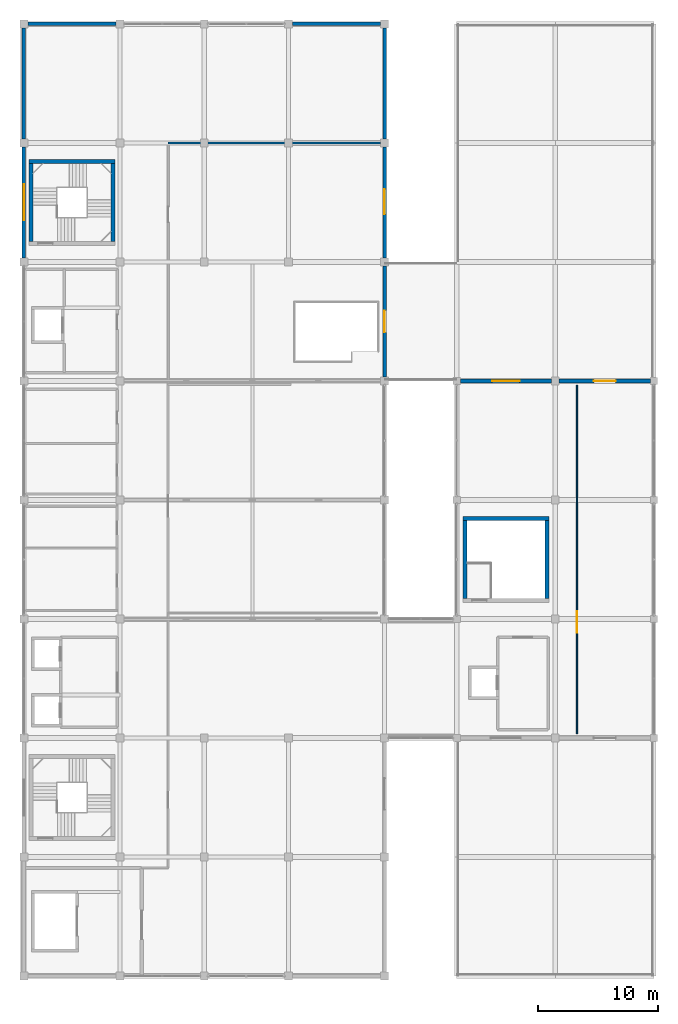
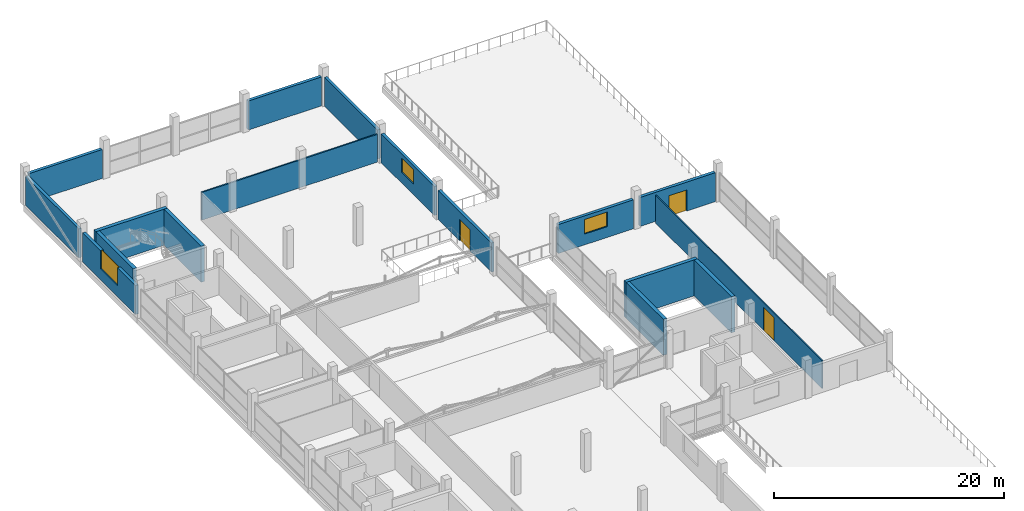
# One storey, part 47 of 53: 17 walls, 3 doors, 3 windows, 6 openings.
"""IFC4 building model written with IfcOpenShell, lengths in metres."""

from ifc_helpers import new_model, si_unit, direction, frame, frame_2d, origin, place, context, subcontext, project, spatial, rectangle, extrude, material, layer, layer_set, type_object, element, fill, save


model = new_model("IFC4")

# Units and contexts
model_context = context("Model", 3, precision=1e-05, world=origin(), true_north=direction((0.0, 1.0)))
body_context = subcontext(model_context, "Body", "Model", "MODEL_VIEW")
ifc_project = project(units=[si_unit("LENGTHUNIT", "METRE"), si_unit("AREAUNIT", "SQUARE_METRE"), si_unit("VOLUMEUNIT", "CUBIC_METRE"), si_unit("PLANEANGLEUNIT", "RADIAN"), si_unit("MASSUNIT", "GRAM", prefix="KILO")], contexts=[model_context])

# Site, building, storey
site_placement = place(None, origin())
site = spatial("IfcSite", under=ifc_project, at=site_placement, CompositionType="ELEMENT")
building_placement = place(site_placement, origin())
building = spatial("IfcBuilding", under=site, at=building_placement, Name="Sillaruma Civic Art Gallery", CompositionType="ELEMENT")
storey_placement = place(building_placement, frame((0.0, 0.0, 70.3798828125)))
storey = spatial("IfcBuildingStorey", under=building, at=storey_placement, Name="L14", CompositionType="ELEMENT", Elevation=70.3798828125)

# Walls
ifc_material_1 = material(Name="Concrete H40 (40 MPa)", Category="concrete")
ifc_layer_1 = layer(ifc_material_1, 0.35009765625, Name="Concrete H40 (40 MPa)")
ifc_layer_set_1 = layer_set([ifc_layer_1], Name="Concrete H40 (40 MPa)")
wall_type_1 = type_object("IfcWallType", Name="WAL-CORE-350", PredefinedType="SHEAR", material=ifc_layer_set_1)
wall_1_placement = place(storey_placement, frame((62.409912109375, 87.56494140625, 0.0), z_axis=(0.0, 0.0, 1.0), x_axis=(1.0, 0.0, 0.0)))
element("IfcWall", 1, at=wall_1_placement, inside=storey, type_object=wall_type_1, Name="Stair Core Shear Wall W-CORE-350 (ST-02:L14:N)", PredefinedType="SHEAR", context=body_context, shape_type="SweptSolid", body=[
    extrude(rectangle(XDim=7.18017578125, YDim=0.35009765625, at=frame_2d((3.590087890625, 0.0))), origin(), (0.0, 0.0, 1.0), 3.830078125),
])
for number, where, z_axis, x_axis, name in (
    (2, (62.5849609375, 80.909912109375, 0.0), (0.0, 0.0, 1.0), (0.0, 1.0, 0.0), "Stair Core Shear Wall W-CORE-350 (ST-02:L14:W)"),
    (3, (69.4150390625, 80.909912109375, 0.0), (0.0, 0.0, 1.0), (0.0, 1.0, 0.0), "Stair Core Shear Wall W-CORE-350 (ST-02:L14:E)"),
):
    element("IfcWall", number, at=place(storey_placement, frame(where, z_axis=z_axis, x_axis=x_axis)), inside=storey, type_object=wall_type_1, Name=name, PredefinedType="SHEAR", context=body_context, shape_type="SweptSolid", body=[
        extrude(rectangle(XDim=6.47998046875, YDim=0.35009765625, at=frame_2d((3.239990234375, 0.0))), origin(), (0.0, 0.0, 1.0), 3.830078125),
    ])
wall_2_placement = place(storey_placement, frame((98.510009765625, 57.864990234375, 0.0), z_axis=(0.0, 0.0, 1.0), x_axis=(1.0, 0.0, 0.0)))
element("IfcWall", 4, at=wall_2_placement, inside=storey, type_object=wall_type_1, Name="Stair Core Shear Wall W-CORE-350 (ST-04:L14:N)", PredefinedType="SHEAR", context=body_context, shape_type="SweptSolid", body=[
    extrude(rectangle(XDim=7.179931640625, YDim=0.35009765625, at=frame_2d((3.58984375, 0.0))), origin(), (0.0, 0.0, 1.0), 3.830078125),
])
for number, where, z_axis, x_axis, name in (
    (5, (98.68505859375, 51.2099609375, 0.0), (0.0, 0.0, 1.0), (0.0, 1.0, 0.0), "Stair Core Shear Wall W-CORE-350 (ST-04:L14:W)"),
    (6, (105.514892578125, 51.2099609375, 0.0), (0.0, 0.0, 1.0), (0.0, 1.0, 0.0), "Stair Core Shear Wall W-CORE-350 (ST-04:L14:E)"),
):
    element("IfcWall", number, at=place(storey_placement, frame(where, z_axis=z_axis, x_axis=x_axis)), inside=storey, type_object=wall_type_1, Name=name, PredefinedType="SHEAR", context=body_context, shape_type="SweptSolid", body=[
        extrude(rectangle(XDim=6.47998046875, YDim=0.35009765625, at=frame_2d((3.239990234375, 0.0))), origin(), (0.0, 0.0, 1.0), 3.830078125),
    ])

# Wall, opening, door
ifc_material_2 = material(Name="Concrete H35 (35 MPa)", Category="concrete")
ifc_layer_2 = layer(ifc_material_2, 0.159912109375, Name="Concrete backup", Category="concrete")
ifc_material_3 = material(Name="Mineral Wool Thermal Insulation", Category="insulation")
ifc_layer_3 = layer(ifc_material_3, 0.090087890625, Name="Thermal insulation", Category="insulation")
ifc_material_4 = material(Name="Anodised Zinc-Aluminium Alloy", Category="aluminium")
ifc_layer_4 = layer(ifc_material_4, 0.030029296875, Name="Rainscreen finish", Category="aluminium")
ifc_layer_set_2 = layer_set([ifc_layer_2, ifc_layer_3, ifc_layer_4], Name="W-EXT-280")
wall_type_2 = type_object("IfcWallType", Name="WAL-EXT-280", PredefinedType="SOLIDWALL", material=ifc_layer_set_2)
wall_3_placement = place(storey_placement, frame((92.0, 69.625, 0.0), z_axis=(0.0, 0.0, 1.0), x_axis=(0.0, 1.0, 0.0)))
wall_3 = element("IfcWall", 7, at=wall_3_placement, inside=storey, type_object=wall_type_2, Name="Exterior Wall W-EXT-280 (EW-L14-WBEC-6)", PredefinedType="SOLIDWALL", context=body_context, shape_type="SweptSolid", body=[
    extrude(rectangle(XDim=9.25, YDim=0.280029296875, at=frame_2d((4.625, 0.0))), origin(), (0.0, 0.0, 1.0), 3.080078125),
])
opening_1_placement = place(wall_3_placement, frame((3.72509765625, 0.0, 0.0)))
opening_1 = element("IfcOpeningElement", 8, at=opening_1_placement, cuts=wall_3, Name="Opening D-TER1", PredefinedType="OPENING", context=body_context, shape_type="SweptSolid", body=[
    extrude(rectangle(XDim=1.800048828125, YDim=2.25, at=frame_2d((0.89990234375, 1.125))), frame((0.0, 0.14990234375, 0.0), z_axis=(0.0, -1.0, 0.0), x_axis=(1.0, 0.0, 0.0)), (0.0, 0.0, 1.0), 0.300048828125),
])
ifc_material_5 = material(Name="Thermally Broken Extruded Aluminium 6063-T6", Category="aluminium")
door_type_1 = type_object("IfcDoorType", Name="DOR-TER-180", OperationType="NOTDEFINED", PredefinedType="DOOR", material=ifc_material_5)
door_1_placement = place(opening_1_placement, frame((1.800048828125, 0.0, 0.0), z_axis=(0.0, 0.0, 1.0), x_axis=(-1.0, 0.0, 0.0)))
door_1 = element("IfcDoor", 9, at=door_1_placement, inside=storey, type_object=door_type_1, Name="L14 East Bar Sculpture Terrace Door", OperationType="DOUBLE_DOOR_SINGLE_SWING", OverallHeight=2.25, OverallWidth=1.800048828125, PredefinedType="DOOR", context=body_context, shape_type="SweptSolid", body=[
    extrude(rectangle(XDim=1.800048828125, YDim=2.25, at=frame_2d((0.89990234375, 1.125))), frame((0.0, 0.02490234375, 0.0), z_axis=(0.0, -1.0, 0.0), x_axis=(1.0, 0.0, 0.0)), (0.0, 0.0, 1.0), 0.050048828125),
])
fill(opening_1, door_1)

# Wall, opening, window
wall_4_placement = place(storey_placement, frame((92.0, 79.52490234375, 0.0), z_axis=(0.0, 0.0, 1.0), x_axis=(0.0, 1.0, 0.0)))
wall_4 = element("IfcWall", 10, at=wall_4_placement, inside=storey, type_object=wall_type_2, Name="Exterior Wall W-EXT-280 (EW-L14-WBE-7)", PredefinedType="SOLIDWALL", context=body_context, shape_type="SweptSolid", body=[
    extrude(rectangle(XDim=9.25, YDim=0.280029296875, at=frame_2d((4.625, 0.0))), origin(), (0.0, 0.0, 1.0), 3.080078125),
])
opening_2_placement = place(wall_4_placement, frame((3.625, 0.0, 1.14990234375)))
opening_2 = element("IfcOpeningElement", 11, at=opening_2_placement, cuts=wall_4, Name="Opening WN-13", PredefinedType="OPENING", context=body_context, shape_type="SweptSolid", body=[
    extrude(rectangle(XDim=2.10009765625, YDim=1.5, at=frame_2d((1.050048828125, 0.75))), frame((0.0, 0.14990234375, 0.0), z_axis=(0.0, -1.0, 0.0), x_axis=(1.0, 0.0, 0.0)), (0.0, 0.0, 1.0), 0.300048828125),
])
window_type_1 = type_object("IfcWindowType", Name="WIN-W13", PartitioningType="SINGLE_PANEL", PredefinedType="WINDOW", material=ifc_material_5)
window_1_placement = place(opening_2_placement, origin())
window_1 = element("IfcWindow", 12, at=window_1_placement, inside=storey, type_object=window_type_1, Name="Window WN-13 (EW-L14-WBE-7-1)", OverallHeight=1.5, OverallWidth=2.10009765625, PartitioningType="SINGLE_PANEL", PredefinedType="WINDOW", context=body_context, shape_type="SweptSolid", body=[
    extrude(rectangle(XDim=2.10009765625, YDim=1.5, at=frame_2d((1.050048828125, 0.75))), frame((0.0, 0.030029296875, 0.0), z_axis=(0.0, -1.0, 0.0), x_axis=(1.0, 0.0, 0.0)), (0.0, 0.0, 1.0), 0.06005859375),
])
fill(opening_2, window_1)

# Walls
wall_5_placement = place(storey_placement, frame((92.0, 89.425048828125, 0.0), z_axis=(0.0, 0.0, 1.0), x_axis=(0.0, 1.0, 0.0)))
element("IfcWall", 13, at=wall_5_placement, inside=storey, type_object=wall_type_2, Name="Exterior Wall W-EXT-280 (EW-L14-WBE-8)", PredefinedType="SOLIDWALL", context=body_context, shape_type="SweptSolid", body=[
    extrude(rectangle(XDim=9.25, YDim=0.280029296875, at=frame_2d((4.625, 0.0))), origin(), (0.0, 0.0, 1.0), 3.080078125),
])
ifc_layer_5 = layer(ifc_material_2, 0.169921875, Name="Concrete backup", Category="concrete")
ifc_layer_6 = layer(ifc_material_3, 0.090087890625, Name="Thermal insulation", Category="insulation")
ifc_layer_7 = layer(ifc_material_4, 0.030029296875, Name="Rainscreen finish", Category="aluminium")
ifc_layer_set_3 = layer_set([ifc_layer_5, ifc_layer_6, ifc_layer_7], Name="W-EXT-290")
wall_type_3 = type_object("IfcWallType", Name="WAL-EXT-290", PredefinedType="SOLIDWALL", material=ifc_layer_set_3)
wall_6_placement = place(storey_placement, frame((62.0, 89.425048828125, 0.0), z_axis=(0.0, 0.0, 1.0), x_axis=(0.0, 1.0, 0.0)))
element("IfcWall", 14, at=wall_6_placement, inside=storey, type_object=wall_type_3, Name="Exterior Wall W-EXT-290 (EW-L14-WBW-8)", PredefinedType="SOLIDWALL", context=body_context, shape_type="SweptSolid", body=[
    extrude(rectangle(XDim=9.25, YDim=0.2900390625, at=frame_2d((4.625, 0.0))), origin(), (0.0, 0.0, 1.0), 3.080078125),
])

# Wall, opening, window
ifc_material_6 = material(Name="Precast Concrete H35 (35 MPa)", Category="concrete")
ifc_layer_8 = layer(ifc_material_6, 0.179931640625, Name="Precast backup", Category="concrete")
ifc_layer_9 = layer(ifc_material_3, 0.090087890625, Name="Thermal insulation", Category="insulation")
ifc_material_7 = material(Name="Comanche Granitic Ashlar Stone", Category="masonry")
ifc_layer_10 = layer(ifc_material_7, 0.030029296875, Name="Rainscreen cladding", Category="masonry")
ifc_layer_set_4 = layer_set([ifc_layer_8, ifc_layer_9, ifc_layer_10], Name="W-EXT-300")
wall_type_4 = type_object("IfcWallType", Name="WAL-EXT-300", PredefinedType="SOLIDWALL", material=ifc_layer_set_4)
wall_7_placement = place(storey_placement, frame((62.0, 79.52490234375, 0.0), z_axis=(0.0, 0.0, 1.0), x_axis=(0.0, 1.0, 0.0)))
wall_7 = element("IfcWall", 15, at=wall_7_placement, inside=storey, type_object=wall_type_4, Name="Exterior Wall W-EXT-300 (EW-L14-WBW-7)", PredefinedType="SOLIDWALL", context=body_context, shape_type="SweptSolid", body=[
    extrude(rectangle(XDim=9.25, YDim=0.300048828125, at=frame_2d((4.625, 0.0))), origin(), (0.0, 0.0, 1.0), 3.080078125),
])
opening_3_placement = place(wall_7_placement, frame((3.125, 0.0, 1.14990234375)))
opening_3 = element("IfcOpeningElement", 16, at=opening_3_placement, cuts=wall_7, Name="Opening WN-10", PredefinedType="OPENING", context=body_context, shape_type="SweptSolid", body=[
    extrude(rectangle(XDim=3.0, YDim=1.949951171875, at=frame_2d((1.5, 0.97509765625))), frame((0.0, 0.159912109375, 0.0), z_axis=(0.0, -1.0, 0.0), x_axis=(1.0, 0.0, 0.0)), (0.0, 0.0, 1.0), 0.320068359375),
])
window_type_2 = type_object("IfcWindowType", Name="WIN-W10", PartitioningType="SINGLE_PANEL", PredefinedType="WINDOW", material=ifc_material_5)
window_2_placement = place(opening_3_placement, origin())
window_2 = element("IfcWindow", 17, at=window_2_placement, inside=storey, type_object=window_type_2, Name="Window WN-10 (EW-L14-WBW-7-1)", OverallHeight=1.949951171875, OverallWidth=3.0, PartitioningType="SINGLE_PANEL", PredefinedType="WINDOW", context=body_context, shape_type="SweptSolid", body=[
    extrude(rectangle(XDim=3.0, YDim=1.949951171875, at=frame_2d((1.5, 0.97509765625))), frame((0.0, 0.030029296875, 0.0), z_axis=(0.0, -1.0, 0.0), x_axis=(1.0, 0.0, 0.0)), (0.0, 0.0, 1.0), 0.06005859375),
])
fill(opening_3, window_2)

# Walls
for number, where, z_axis, x_axis, name in (
    (18, (62.324951171875, 99.0, 0.0), (0.0, 0.0, 1.0), (1.0, 0.0, 0.0), "Exterior Wall W-EXT-300 (EW-L14-WBN-1)"),
    (19, (84.324951171875, 99.0, 0.0), (0.0, 0.0, 1.0), (1.0, 0.0, 0.0), "Exterior Wall W-EXT-300 (EW-L14-WBN-4)"),
):
    element("IfcWall", number, at=place(storey_placement, frame(where, z_axis=z_axis, x_axis=x_axis)), inside=storey, type_object=wall_type_4, Name=name, PredefinedType="SOLIDWALL", context=body_context, shape_type="SweptSolid", body=[
        extrude(rectangle(XDim=7.35009765625, YDim=0.300048828125, at=frame_2d((3.675048828125, 0.0))), origin(), (0.0, 0.0, 1.0), 3.080078125),
    ])

# Wall, opening, window
wall_8_placement = place(storey_placement, frame((98.300048828125, 69.300048828125, 0.0), z_axis=(0.0, 0.0, 1.0), x_axis=(1.0, 0.0, 0.0)))
wall_8 = element("IfcWall", 20, at=wall_8_placement, inside=storey, type_object=wall_type_4, Name="Exterior Wall W-EXT-300 (EW-L14-EHH-N1)", PredefinedType="SOLIDWALL", context=body_context, shape_type="SweptSolid", body=[
    extrude(rectangle(XDim=7.574951171875, YDim=0.300048828125, at=frame_2d((3.78759765625, 0.0))), origin(), (0.0, 0.0, 1.0), 3.080078125),
])
opening_4_placement = place(wall_8_placement, frame((2.637939453125, 0.0, 1.14990234375)))
opening_4 = element("IfcOpeningElement", 21, at=opening_4_placement, cuts=wall_8, Name="Opening WN-12", PredefinedType="OPENING", context=body_context, shape_type="SweptSolid", body=[
    extrude(rectangle(XDim=2.300048828125, YDim=1.550048828125, at=frame_2d((1.14990234375, 0.77490234375))), frame((0.0, 0.159912109375, 0.0), z_axis=(0.0, -1.0, 0.0), x_axis=(1.0, 0.0, 0.0)), (0.0, 0.0, 1.0), 0.320068359375),
])
window_type_3 = type_object("IfcWindowType", Name="WIN-W12", PartitioningType="SINGLE_PANEL", PredefinedType="WINDOW", material=ifc_material_5)
window_3_placement = place(opening_4_placement, origin())
window_3 = element("IfcWindow", 22, at=window_3_placement, inside=storey, type_object=window_type_3, Name="Window WN-12 (EW-L14-EHH-N1-1)", OverallHeight=1.550048828125, OverallWidth=2.300048828125, PartitioningType="SINGLE_PANEL", PredefinedType="WINDOW", context=body_context, shape_type="SweptSolid", body=[
    extrude(rectangle(XDim=2.300048828125, YDim=1.550048828125, at=frame_2d((1.14990234375, 0.77490234375))), frame((0.0, 0.030029296875, 0.0), z_axis=(0.0, -1.0, 0.0), x_axis=(1.0, 0.0, 0.0)), (0.0, 0.0, 1.0), 0.06005859375),
])
fill(opening_4, window_3)

# Wall, opening, door
wall_9_placement = place(storey_placement, frame((106.52490234375, 69.300048828125, 0.0), z_axis=(0.0, 0.0, 1.0), x_axis=(1.0, 0.0, 0.0)))
wall_9 = element("IfcWall", 23, at=wall_9_placement, inside=storey, type_object=wall_type_4, Name="Exterior Wall W-EXT-300 (EW-L14-EHH-N2)", PredefinedType="SOLIDWALL", context=body_context, shape_type="SweptSolid", body=[
    extrude(rectangle(XDim=7.5751953125, YDim=0.300048828125, at=frame_2d((3.78759765625, 0.0))), origin(), (0.0, 0.0, 1.0), 3.080078125),
])
opening_5_placement = place(wall_9_placement, frame((2.887939453125, 0.0, 0.0)))
opening_5 = element("IfcOpeningElement", 24, at=opening_5_placement, cuts=wall_9, Name="Opening D-TER1", PredefinedType="OPENING", context=body_context, shape_type="SweptSolid", body=[
    extrude(rectangle(XDim=1.800048828125, YDim=2.25, at=frame_2d((0.89990234375, 1.125))), frame((0.0, 0.159912109375, 0.0), z_axis=(0.0, -1.0, 0.0), x_axis=(1.0, 0.0, 0.0)), (0.0, 0.0, 1.0), 0.320068359375),
])
door_2_placement = place(opening_5_placement, origin())
door_2 = element("IfcDoor", 25, at=door_2_placement, inside=storey, type_object=door_type_1, Name="L14 East Bar North Sculpture Terrace Door", OperationType="DOUBLE_DOOR_SINGLE_SWING", OverallHeight=2.25, OverallWidth=1.800048828125, PredefinedType="DOOR", context=body_context, shape_type="SweptSolid", body=[
    extrude(rectangle(XDim=1.800048828125, YDim=2.25, at=frame_2d((0.89990234375, 1.125))), frame((0.0, 0.02490234375, 0.0), z_axis=(0.0, -1.0, 0.0), x_axis=(1.0, 0.0, 0.0)), (0.0, 0.0, 1.0), 0.050048828125),
])
fill(opening_5, door_2)

ifc_material_8 = material(Name="Gypsum Acoustic Board", Category="gypsum")
ifc_layer_11 = layer(ifc_material_8, 0.02490234375, Name="Finish board", Category="gypsum")
ifc_layer_12 = layer(ifc_material_3, 0.06005859375, Name="Acoustic core", Category="insulation")
ifc_material_9 = material(Name="Andean Oak Timber", Category="wood")
ifc_layer_13 = layer(ifc_material_9, 0.02490234375, Name="Gallery lining", Category="wood")
ifc_layer_set_5 = layer_set([ifc_layer_11, ifc_layer_12, ifc_layer_13], Name="W-PT-110")
wall_type_5 = type_object("IfcWallType", Name="WAL-PART-110", PredefinedType="PARTITIONING", material=ifc_layer_set_5)
wall_10_placement = place(storey_placement, frame((108.0, 39.949951171875, 0.0), z_axis=(0.0, 0.0, 1.0), x_axis=(0.0, 1.0, 0.0)))
wall_10 = element("IfcWall", 26, at=wall_10_placement, inside=storey, type_object=wall_type_5, Name="Interior Wall W-PT-110 (L14-STD14E)", PredefinedType="PARTITIONING", context=body_context, shape_type="SweptSolid", body=[
    extrude(rectangle(XDim=29.0, YDim=0.110107421875, at=frame_2d((14.5, 0.0))), origin(), (0.0, 0.0, 1.0), 2.9501953125),
])
opening_6_placement = place(wall_10_placement, frame((8.39990234375, 0.0, 0.0)))
opening_6 = element("IfcOpeningElement", 27, at=opening_6_placement, cuts=wall_10, Name="Opening D-GAL18", PredefinedType="OPENING", context=body_context, shape_type="SweptSolid", body=[
    extrude(rectangle(XDim=1.800048828125, YDim=2.449951171875, at=frame_2d((0.89990234375, 1.22509765625))), frame((0.0, 0.06494140625, 0.0), z_axis=(0.0, -1.0, 0.0), x_axis=(1.0, 0.0, 0.0)), (0.0, 0.0, 1.0), 0.130126953125),
])
door_type_2 = type_object("IfcDoorType", Name="DOR-GAL-180", OperationType="NOTDEFINED", PredefinedType="DOOR", material=ifc_material_9)
door_3_placement = place(opening_6_placement, origin())
door_3 = element("IfcDoor", 28, at=door_3_placement, inside=storey, type_object=door_type_2, Name="East Crown Sky-Lantern Artist Studio Door (D-GAL18)", OperationType="DOUBLE_DOOR_SINGLE_SWING", OverallHeight=2.449951171875, OverallWidth=1.800048828125, PredefinedType="DOOR", context=body_context, shape_type="SweptSolid", body=[
    extrude(rectangle(XDim=1.800048828125, YDim=2.449951171875, at=frame_2d((0.89990234375, 1.22509765625))), frame((0.0, 0.02490234375, 0.0), z_axis=(0.0, -1.0, 0.0), x_axis=(1.0, 0.0, 0.0)), (0.0, 0.0, 1.0), 0.050048828125),
])
fill(opening_6, door_3)

# Wall
ifc_layer_14 = layer(ifc_material_8, 0.02490234375, Name="Finish board", Category="gypsum")
ifc_layer_15 = layer(ifc_material_3, 0.090087890625, Name="Acoustic core", Category="insulation")
ifc_layer_16 = layer(ifc_material_9, 0.02490234375, Name="Gallery lining", Category="wood")
ifc_layer_set_6 = layer_set([ifc_layer_14, ifc_layer_15, ifc_layer_16], Name="W-PT-140")
wall_type_6 = type_object("IfcWallType", Name="WAL-PART-140", PredefinedType="PARTITIONING", material=ifc_layer_set_6)
wall_11_placement = place(storey_placement, frame((74.0, 89.10009765625, 0.0), z_axis=(0.0, 0.0, 1.0), x_axis=(1.0, 0.0, 0.0)))
element("IfcWall", 29, at=wall_11_placement, inside=storey, type_object=wall_type_6, Name="Interior Wall W-PT-140 (L14-STD14A)", PredefinedType="PARTITIONING", context=body_context, shape_type="SweptSolid", body=[
    extrude(rectangle(XDim=17.64990234375, YDim=0.139892578125, at=frame_2d((8.824951171875, 0.0))), origin(), (0.0, 0.0, 1.0), 2.9501953125),
])

save(model, "model.ifc")
